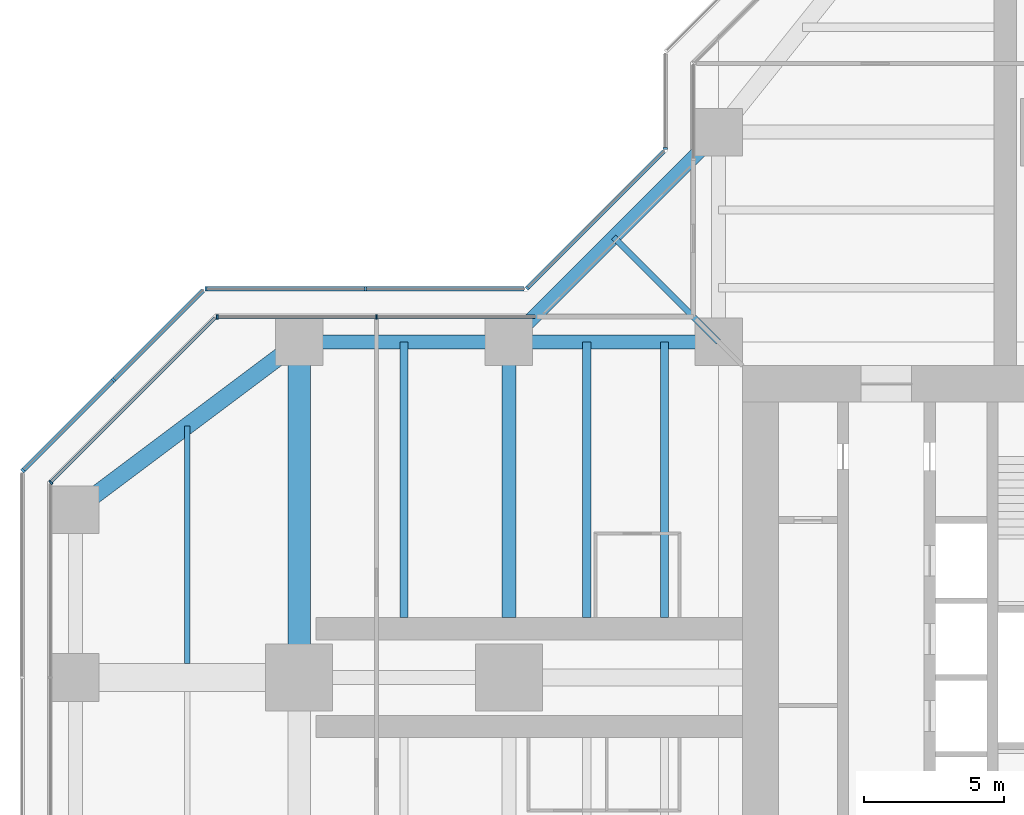
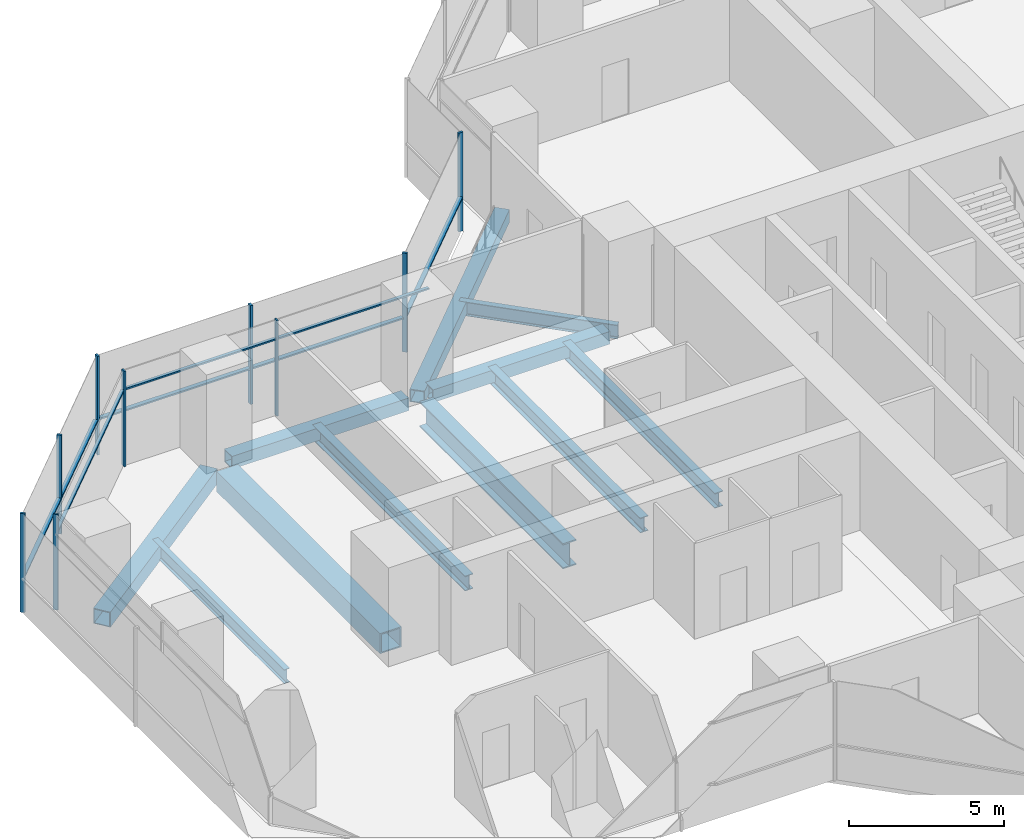
# One storey, part 7 of 20: 17 members, 11 beams, 6 elements without a shape of their own.
"""IFC4 building model written with IfcOpenShell, lengths in metres."""

from ifc_helpers import new_model, si_unit, direction, frame, origin, origin_2d, place, context, subcontext, project, spatial, rectangle, hollow_rectangle, i_section, extrude, material, material_profile, profile_set, type_object, element, aggregate, save


model = new_model("IFC4")

# Units and contexts
model_context = context("Model", 3, precision=1e-05, world=origin(), true_north=direction((0.0, 1.0)))
body_context = subcontext(model_context, "Body", "Model", "MODEL_VIEW")
ifc_project = project(units=[si_unit("LENGTHUNIT", "METRE"), si_unit("AREAUNIT", "SQUARE_METRE"), si_unit("VOLUMEUNIT", "CUBIC_METRE"), si_unit("PLANEANGLEUNIT", "RADIAN"), si_unit("MASSUNIT", "GRAM", prefix="KILO")], contexts=[model_context])

# Site, building, storey
site_placement = place(None, origin())
site = spatial("IfcSite", under=ifc_project, at=site_placement, CompositionType="ELEMENT")
building_placement = place(site_placement, origin())
building = spatial("IfcBuilding", under=site, at=building_placement, Name="Mizan Broadcast Tower", CompositionType="ELEMENT")
storey_placement = place(building_placement, frame((0.0, 0.0, 135.89990234375)))
storey = spatial("IfcBuildingStorey", under=building, at=storey_placement, Name="L30", CompositionType="ELEMENT", Elevation=135.89990234375)

# Beams
ifc_material_1 = material(Name="Steel S355", Category="steel")
ifc_material_profile_1 = material_profile(ifc_material_1, hollow_rectangle(XDim=0.5, YDim=0.5, WallThickness=0.030029296875, at=origin_2d()), Name="BOX 500x500x30")
ifc_profile_set_1 = profile_set([ifc_material_profile_1], Name="Steel S355")
beam_type_1 = type_object("IfcBeamType", Name="EDGE BEAM BOX 500x500x30", PredefinedType="SPANDREL", material=ifc_profile_set_1)
for number, where, z_axis, x_axis, name in (
    (1, (-12.449951171875, 12.0, -0.3798828125), (-1.0, 0.0, 0.0), (0.0, -1.0, 0.0), "Edge beam BOX 500x500x30 L30 west arm"),
    (2, (-19.949951171875, 12.0, -0.3798828125), (-1.0, 0.0, 0.0), (0.0, -1.0, 0.0), "Edge beam BOX 500x500x30 L30 west arm"),
):
    element("IfcBeam", number, at=place(storey_placement, frame(where, z_axis=z_axis, x_axis=x_axis)), inside=storey, type_object=beam_type_1, Name=name, PredefinedType="SPANDREL", context=body_context, shape_type="SweptSolid", body=[
        extrude(hollow_rectangle(XDim=0.5, YDim=0.5, WallThickness=0.030029296875, at=origin_2d()), origin(), (0.0, 0.0, 1.0), 6.60009765625),
    ])
beam_1_placement = place(storey_placement, frame((-12.0, 19.5, -0.3798828125), z_axis=(-0.707106781187, -0.707106781187, 0.0), x_axis=(0.707106781187, -0.707106781187, 0.0)))
element("IfcBeam", 3, at=beam_1_placement, inside=storey, type_object=beam_type_1, Name="Winter garden edge beam L30 N", PredefinedType="SPANDREL", context=body_context, shape_type="SweptSolid", body=[
    extrude(hollow_rectangle(XDim=0.5, YDim=0.5, WallThickness=0.030029296875, at=origin_2d()), origin(), (0.0, 0.0, 1.0), 10.606689453125),
])
ifc_material_2 = material(Name="Steel S355", Category="steel")
ifc_material_profile_2 = material_profile(ifc_material_2, hollow_rectangle(XDim=0.60009765625, YDim=0.60009765625, WallThickness=0.030029296875, at=origin_2d()), Name="BOX 600x600x30")
ifc_profile_set_2 = profile_set([ifc_material_profile_2], Name="Steel S355")
beam_type_2 = type_object("IfcBeamType", Name="EDGE BEAM BOX 600x600x30", PredefinedType="SPANDREL", material=ifc_profile_set_2)
beam_2_placement = place(storey_placement, frame((-27.47998046875, 11.639892578125, -0.429931640625), z_axis=(-0.800013316712, -0.599982243973, 0.0), x_axis=(0.599982243973, -0.800013316712, 0.0)))
element("IfcBeam", 4, at=beam_2_placement, inside=storey, type_object=beam_type_2, Name="Edge beam BOX 600x600x30 L30 west arm", PredefinedType="SPANDREL", context=body_context, shape_type="SweptSolid", body=[
    extrude(hollow_rectangle(XDim=0.60009765625, YDim=0.60009765625, WallThickness=0.030029296875, at=origin_2d()), origin(), (0.0, 0.0, 1.0), 8.7998046875),
])
ifc_material_3 = material(Name="Steel S460", Category="steel")
ifc_material_profile_3 = material_profile(ifc_material_3, hollow_rectangle(XDim=0.800048828125, YDim=0.800048828125, WallThickness=0.050048828125, at=origin_2d()), Name="BOX 800x800x50")
ifc_profile_set_3 = profile_set([ifc_material_profile_3], Name="Steel S460")
beam_type_3 = type_object("IfcBeamType", Name="GIRDER BOX 800x800x50", PredefinedType="BEAM", material=ifc_profile_set_3)
beam_3_placement = place(storey_placement, frame((-27.0, 11.280029296875, -0.52978515625), z_axis=(0.0, -1.0, 0.0), x_axis=(1.0, 0.0, 0.0)))
element("IfcBeam", 5, at=beam_3_placement, inside=storey, type_object=beam_type_3, Name="Girder BOX 800x800x50 L30 west arm", PredefinedType="BEAM", context=body_context, shape_type="SweptSolid", body=[
    extrude(hollow_rectangle(XDim=0.800048828125, YDim=0.800048828125, WallThickness=0.050048828125, at=origin_2d()), origin(), (0.0, 0.0, 1.0), 10.56005859375),
])
ifc_material_4 = material(Name="Steel S460", Category="steel")
ifc_material_profile_4 = material_profile(ifc_material_4, i_section(OverallWidth=0.5, OverallDepth=1.0, WebThickness=0.02490234375, FlangeThickness=0.050048828125, at=origin_2d()), Name="WPG 1000x500")
ifc_profile_set_4 = profile_set([ifc_material_profile_4], Name="Steel S460")
beam_type_4 = type_object("IfcBeamType", Name="GIRDER WPG 1000x500", PredefinedType="BEAM", material=ifc_profile_set_4)
beam_4_placement = place(storey_placement, frame((-19.5, 11.408935546875, -0.6298828125), z_axis=(0.0, -1.0, 0.0), x_axis=(1.0, 0.0, 0.0)))
element("IfcBeam", 6, at=beam_4_placement, inside=storey, type_object=beam_type_4, Name="Girder WPG 1000x500 L30 west arm", PredefinedType="BEAM", context=body_context, shape_type="SweptSolid", body=[
    extrude(i_section(OverallWidth=0.5, OverallDepth=1.0, WebThickness=0.02490234375, FlangeThickness=0.050048828125, at=origin_2d()), origin(), (0.0, 0.0, 1.0), 9.259033203125),
])

# Curtain wall, members
ifc_material_5 = material(Name="Aluminium framed glazing", Category="aluminium")
curtain_wall_type_1 = type_object("IfcCurtainWallType", Name="INNER SKIN MID ZONE", PredefinedType="USERDEFINED", material=ifc_material_5)
curtain_wall_1_placement = place(storey_placement, origin())
curtain_wall_1 = element("IfcCurtainWall", 7, at=curtain_wall_1_placement, inside=storey, type_object=curtain_wall_type_1, Name="Inner skin mid zone L30 W side", ObjectType="INNER SKIN MID ZONE", PredefinedType="USERDEFINED")
ifc_material_6 = material(Name="Aluminium, pale anodised", Category="aluminium")
ifc_material_profile_5 = material_profile(ifc_material_6, rectangle(XDim=0.159912109375, YDim=0.06005859375, at=origin_2d()), Name="MULLION 160x60")
ifc_profile_set_5 = profile_set([ifc_material_profile_5], Name="Aluminium, pale anodised")
member_type_1 = type_object("IfcMemberType", Name="INNER SKIN MULLION 60x160", PredefinedType="MULLION", material=ifc_profile_set_5)
member_1_placement = place(storey_placement, frame((-24.229248046875, 12.89990234375, 0.0), z_axis=(0.0, 0.0, 1.0), x_axis=(0.0, -1.0, 0.0)))
member_1 = element("IfcMember", 8, at=member_1_placement, type_object=member_type_1, Name="Inner skin mid zone L30 W side mullion 2", PredefinedType="MULLION", context=body_context, shape_type="SweptSolid", body=[
    extrude(rectangle(XDim=0.159912109375, YDim=0.06005859375, at=origin_2d()), origin(), (0.0, 0.0, 1.0), 3.77001953125),
])
member_2_placement = place(storey_placement, frame((-29.928466796875, 12.89990234375, 0.0), z_axis=(0.0, 0.0, 1.0), x_axis=(0.0, -1.0, 0.0)))
member_2 = element("IfcMember", 9, at=member_2_placement, type_object=member_type_1, Name="Inner skin mid zone L30 W side mullion 3", PredefinedType="MULLION", context=body_context, shape_type="SweptSolid", body=[
    extrude(rectangle(XDim=0.159912109375, YDim=0.06005859375, at=origin_2d()), origin(), (0.0, 0.0, 1.0), 3.77001953125),
])

# Curtain wall, member
curtain_wall_2_placement = place(storey_placement, origin())
curtain_wall_2 = element("IfcCurtainWall", 10, at=curtain_wall_2_placement, inside=storey, type_object=curtain_wall_type_1, Name="Inner skin mid zone L30 W chamfer", ObjectType="INNER SKIN MID ZONE", PredefinedType="USERDEFINED")
member_3_placement = place(storey_placement, frame((-35.87890625, 6.979736328125, 0.0), z_axis=(0.0, 0.0, 1.0), x_axis=(0.707106781187, -0.707106781187, 0.0)))
member_3 = element("IfcMember", 11, at=member_3_placement, type_object=member_type_1, Name="Inner skin mid zone L30 W chamfer mullion 2", PredefinedType="MULLION", context=body_context, shape_type="SweptSolid", body=[
    extrude(rectangle(XDim=0.159912109375, YDim=0.06005859375, at=origin_2d()), origin(), (0.0, 0.0, 1.0), 3.77001953125),
])

# Member
ifc_material_7 = material(Name="Aluminium, pale anodised", Category="aluminium")
ifc_material_profile_6 = material_profile(ifc_material_7, rectangle(XDim=0.1201171875, YDim=0.06005859375, at=origin_2d()), Name="TRANSOM 120x60")
ifc_profile_set_6 = profile_set([ifc_material_profile_6], Name="Aluminium, pale anodised")
member_type_2 = type_object("IfcMemberType", Name="INNER SKIN TRANSOM 60x120", PredefinedType="USERDEFINED", material=ifc_profile_set_6)
member_4_placement = place(storey_placement, frame((-18.56005859375, 12.89990234375, 3.030029296875), z_axis=(-1.0, 0.0, 0.0), x_axis=(0.0, -1.0, 0.0)))
member_4 = element("IfcMember", 12, at=member_4_placement, type_object=member_type_2, Name="Inner skin mid zone L30 W side transom 1.1", ObjectType="TRANSOM", PredefinedType="USERDEFINED", context=body_context, shape_type="SweptSolid", body=[
    extrude(rectangle(XDim=0.1201171875, YDim=0.06005859375, at=origin_2d()), origin(), (0.0, 0.0, 1.0), 5.63916015625),
])

member_5_placement = place(storey_placement, frame((-24.25927734375, 12.89990234375, 3.030029296875), z_axis=(-1.0, 0.0, 0.0), x_axis=(0.0, -1.0, 0.0)))
member_5 = element("IfcMember", 13, at=member_5_placement, type_object=member_type_2, Name="Inner skin mid zone L30 W side transom 2.1", ObjectType="TRANSOM", PredefinedType="USERDEFINED", context=body_context, shape_type="SweptSolid", body=[
    extrude(rectangle(XDim=0.1201171875, YDim=0.06005859375, at=origin_2d()), origin(), (0.0, 0.0, 1.0), 5.639404296875),
])

aggregate(curtain_wall_1, [member_1, member_2, member_4, member_5])

member_6_placement = place(storey_placement, frame((-30.0009765625, 12.857666015625, 3.030029296875), z_axis=(-0.707106781187, -0.707106781187, 0.0), x_axis=(0.707106781187, -0.707106781187, 0.0)))
member_6 = element("IfcMember", 14, at=member_6_placement, type_object=member_type_2, Name="Inner skin mid zone L30 W chamfer transom 1.1", ObjectType="TRANSOM", PredefinedType="USERDEFINED", context=body_context, shape_type="SweptSolid", body=[
    extrude(rectangle(XDim=0.1201171875, YDim=0.06005859375, at=origin_2d()), origin(), (0.0, 0.0, 1.0), 8.28271484375),
])

aggregate(curtain_wall_2, [member_3, member_6])

# Curtain wall, member
ifc_material_8 = material(Name="Aluminium framed glazing", Category="aluminium")
curtain_wall_type_2 = type_object("IfcCurtainWallType", Name="OUTER SKIN", PredefinedType="USERDEFINED", material=ifc_material_8)
curtain_wall_3_placement = place(storey_placement, origin())
curtain_wall_3 = element("IfcCurtainWall", 15, at=curtain_wall_3_placement, inside=storey, type_object=curtain_wall_type_2, Name="Outer skin L30 N side", ObjectType="OUTER SKIN", PredefinedType="USERDEFINED")
ifc_material_9 = material(Name="Aluminium, pale anodised", Category="aluminium")
ifc_material_profile_7 = material_profile(ifc_material_9, rectangle(XDim=0.159912109375, YDim=0.080078125, at=origin_2d()), Name="MULLION 160x80")
ifc_profile_set_7 = profile_set([ifc_material_profile_7], Name="Aluminium, pale anodised")
member_type_3 = type_object("IfcMemberType", Name="OUTER SKIN MULLION 80x160", PredefinedType="MULLION", material=ifc_profile_set_7)
member_7_placement = place(storey_placement, frame((-13.89990234375, 18.912841796875, 0.0), z_axis=(0.0, 0.0, 1.0), x_axis=(1.0, 0.0, 0.0)))
member_7 = element("IfcMember", 16, at=member_7_placement, type_object=member_type_3, Name="Outer skin L30 N side mullion 2", PredefinedType="MULLION", context=body_context, shape_type="SweptSolid", body=[
    extrude(rectangle(XDim=0.159912109375, YDim=0.080078125, at=origin_2d()), origin(), (0.0, 0.0, 1.0), 3.900146484375),
])
aggregate(curtain_wall_3, [member_7])

curtain_wall_4_placement = place(storey_placement, origin())
curtain_wall_4 = element("IfcCurtainWall", 17, at=curtain_wall_4_placement, inside=storey, type_object=curtain_wall_type_2, Name="Outer skin L30 W chamfer", ObjectType="OUTER SKIN", PredefinedType="USERDEFINED")
member_8_placement = place(storey_placement, frame((-18.844482421875, 13.92822265625, 0.0), z_axis=(0.0, 0.0, 1.0), x_axis=(0.707106781187, -0.707106781187, 0.0)))
member_8 = element("IfcMember", 18, at=member_8_placement, type_object=member_type_3, Name="Outer skin L30 W chamfer mullion 2", PredefinedType="MULLION", context=body_context, shape_type="SweptSolid", body=[
    extrude(rectangle(XDim=0.159912109375, YDim=0.080078125, at=origin_2d()), origin(), (0.0, 0.0, 1.0), 3.900146484375),
])

# Curtain wall, members
curtain_wall_5_placement = place(storey_placement, origin())
curtain_wall_5 = element("IfcCurtainWall", 19, at=curtain_wall_5_placement, inside=storey, type_object=curtain_wall_type_2, Name="Outer skin L30 W side", ObjectType="OUTER SKIN", PredefinedType="USERDEFINED")
member_9_placement = place(storey_placement, frame((-24.622802734375, 13.89990234375, 0.0), z_axis=(0.0, 0.0, 1.0), x_axis=(0.0, -1.0, 0.0)))
member_9 = element("IfcMember", 20, at=member_9_placement, type_object=member_type_3, Name="Outer skin L30 W side mullion 2", PredefinedType="MULLION", context=body_context, shape_type="SweptSolid", body=[
    extrude(rectangle(XDim=0.159912109375, YDim=0.080078125, at=origin_2d()), origin(), (0.0, 0.0, 1.0), 3.900146484375),
])
member_10_placement = place(storey_placement, frame((-30.332763671875, 13.89990234375, 0.0), z_axis=(0.0, 0.0, 1.0), x_axis=(0.0, -1.0, 0.0)))
member_10 = element("IfcMember", 21, at=member_10_placement, type_object=member_type_3, Name="Outer skin L30 W side mullion 3", PredefinedType="MULLION", context=body_context, shape_type="SweptSolid", body=[
    extrude(rectangle(XDim=0.159912109375, YDim=0.080078125, at=origin_2d()), origin(), (0.0, 0.0, 1.0), 3.900146484375),
])

curtain_wall_6_placement = place(storey_placement, origin())
curtain_wall_6 = element("IfcCurtainWall", 22, at=curtain_wall_6_placement, inside=storey, type_object=curtain_wall_type_2, Name="Outer skin L30 W chamfer", ObjectType="OUTER SKIN", PredefinedType="USERDEFINED")
member_11_placement = place(storey_placement, frame((-33.636474609375, 10.636474609375, 0.0), z_axis=(0.0, 0.0, 1.0), x_axis=(0.707106781187, -0.707106781187, 0.0)))
member_11 = element("IfcMember", 23, at=member_11_placement, type_object=member_type_3, Name="Outer skin L30 W chamfer mullion 2", PredefinedType="MULLION", context=body_context, shape_type="SweptSolid", body=[
    extrude(rectangle(XDim=0.159912109375, YDim=0.080078125, at=origin_2d()), origin(), (0.0, 0.0, 1.0), 3.900146484375),
])
member_12_placement = place(storey_placement, frame((-36.871826171875, 7.401123046875, 0.0), z_axis=(0.0, 0.0, 1.0), x_axis=(0.707106781187, -0.707106781187, 0.0)))
member_12 = element("IfcMember", 24, at=member_12_placement, type_object=member_type_3, Name="Outer skin L30 W chamfer mullion 3", PredefinedType="MULLION", context=body_context, shape_type="SweptSolid", body=[
    extrude(rectangle(XDim=0.159912109375, YDim=0.080078125, at=origin_2d()), origin(), (0.0, 0.0, 1.0), 3.900146484375),
])

# Member
ifc_material_10 = material(Name="Aluminium, pale anodised", Category="aluminium")
ifc_material_profile_8 = material_profile(ifc_material_10, rectangle(XDim=0.159912109375, YDim=0.06005859375, at=origin_2d()), Name="TRANSOM 160x60")
ifc_profile_set_8 = profile_set([ifc_material_profile_8], Name="Aluminium, pale anodised")
member_type_4 = type_object("IfcMemberType", Name="OUTER SKIN TRANSOM 60x160", PredefinedType="USERDEFINED", material=ifc_profile_set_8)
member_13_placement = place(storey_placement, frame((-13.95654296875, 18.816162109375, 1.400146484375), z_axis=(-0.707106781187, -0.707106781187, 0.0), x_axis=(0.707106781187, -0.707106781187, 0.0)))
member_13 = element("IfcMember", 25, at=member_13_placement, type_object=member_type_4, Name="Outer skin L30 W chamfer transom 1.1", ObjectType="TRANSOM", PredefinedType="USERDEFINED", context=body_context, shape_type="SweptSolid", body=[
    extrude(rectangle(XDim=0.159912109375, YDim=0.06005859375, at=origin_2d()), origin(), (0.0, 0.0, 1.0), 6.87255859375),
])

aggregate(curtain_wall_4, [member_8, member_13])

member_14_placement = place(storey_placement, frame((-18.952880859375, 13.89990234375, 1.400146484375), z_axis=(-1.0, 0.0, 0.0), x_axis=(0.0, -1.0, 0.0)))
member_14 = element("IfcMember", 26, at=member_14_placement, type_object=member_type_4, Name="Outer skin L30 W side transom 1.1", ObjectType="TRANSOM", PredefinedType="USERDEFINED", context=body_context, shape_type="SweptSolid", body=[
    extrude(rectangle(XDim=0.159912109375, YDim=0.06005859375, at=origin_2d()), origin(), (0.0, 0.0, 1.0), 5.6298828125),
])

member_15_placement = place(storey_placement, frame((-24.662841796875, 13.89990234375, 1.400146484375), z_axis=(-1.0, 0.0, 0.0), x_axis=(0.0, -1.0, 0.0)))
member_15 = element("IfcMember", 27, at=member_15_placement, type_object=member_type_4, Name="Outer skin L30 W side transom 2.1", ObjectType="TRANSOM", PredefinedType="USERDEFINED", context=body_context, shape_type="SweptSolid", body=[
    extrude(rectangle(XDim=0.159912109375, YDim=0.06005859375, at=origin_2d()), origin(), (0.0, 0.0, 1.0), 5.6298828125),
])

aggregate(curtain_wall_5, [member_9, member_10, member_14, member_15])

member_16_placement = place(storey_placement, frame((-30.429443359375, 13.843505859375, 1.400146484375), z_axis=(-0.707106781187, -0.707106781187, 0.0), x_axis=(0.707106781187, -0.707106781187, 0.0)))
member_16 = element("IfcMember", 28, at=member_16_placement, type_object=member_type_4, Name="Outer skin L30 W chamfer transom 1.1", ObjectType="TRANSOM", PredefinedType="USERDEFINED", context=body_context, shape_type="SweptSolid", body=[
    extrude(rectangle(XDim=0.159912109375, YDim=0.06005859375, at=origin_2d()), origin(), (0.0, 0.0, 1.0), 4.495361328125),
])

member_17_placement = place(storey_placement, frame((-33.664794921875, 10.608154296875, 1.400146484375), z_axis=(-0.707106781187, -0.707106781187, 0.0), x_axis=(0.707106781187, -0.707106781187, 0.0)))
member_17 = element("IfcMember", 29, at=member_17_placement, type_object=member_type_4, Name="Outer skin L30 W chamfer transom 2.1", ObjectType="TRANSOM", PredefinedType="USERDEFINED", context=body_context, shape_type="SweptSolid", body=[
    extrude(rectangle(XDim=0.159912109375, YDim=0.06005859375, at=origin_2d()), origin(), (0.0, 0.0, 1.0), 4.495361328125),
])

aggregate(curtain_wall_6, [member_11, member_12, member_16, member_17])

# Beams
ifc_material_11 = material(Name="Steel S355", Category="steel")
ifc_material_profile_9 = material_profile(ifc_material_11, i_section(OverallWidth=0.300048828125, OverallDepth=0.590087890625, WebThickness=0.012939453125, FlangeThickness=0.02490234375, FilletRadius=0.027099609375, at=origin_2d()), Name="HEA 600")
ifc_profile_set_9 = profile_set([ifc_material_profile_9], Name="Steel S355")
beam_type_5 = type_object("IfcBeamType", Name="SECONDARY BEAM HEA 600", PredefinedType="JOIST", material=ifc_profile_set_9)
for number, where, z_axis, x_axis, name in (
    (30, (-13.933349609375, 12.0, -0.4248046875), (0.0, -1.0, 0.0), (1.0, 0.0, 0.0), "Secondary beam HEA 600 L30 west arm"),
    (31, (-16.716552734375, 12.0, -0.4248046875), (0.0, -1.0, 0.0), (1.0, 0.0, 0.0), "Secondary beam HEA 600 L30 west arm"),
    (32, (-23.25, 12.0, -0.4248046875), (0.0, -1.0, 0.0), (1.0, 0.0, 0.0), "Secondary beam HEA 600 L30 west arm"),
):
    element("IfcBeam", number, at=place(storey_placement, frame(where, z_axis=z_axis, x_axis=x_axis)), inside=storey, type_object=beam_type_5, Name=name, PredefinedType="JOIST", context=body_context, shape_type="SweptSolid", body=[
        extrude(i_section(OverallWidth=0.300048828125, OverallDepth=0.590087890625, WebThickness=0.012939453125, FlangeThickness=0.02490234375, FilletRadius=0.027099609375, at=origin_2d()), origin(), (0.0, 0.0, 1.0), 9.85009765625),
    ])
ifc_material_12 = material(Name="Steel S355", Category="steel")
ifc_material_profile_10 = material_profile(ifc_material_12, i_section(OverallWidth=0.2099609375, OverallDepth=0.550048828125, WebThickness=0.010986328125, FlangeThickness=0.01708984375, FilletRadius=0.02392578125, at=origin_2d()), Name="IPE 550")
ifc_profile_set_10 = profile_set([ifc_material_profile_10], Name="Steel S355")
beam_type_6 = type_object("IfcBeamType", Name="SECONDARY BEAM IPE 550", PredefinedType="JOIST", material=ifc_profile_set_10)
beam_5_placement = place(storey_placement, frame((-31.0, 9.0, -0.40478515625), z_axis=(0.0, -1.0, 0.0), x_axis=(1.0, 0.0, 0.0)))
element("IfcBeam", 33, at=beam_5_placement, inside=storey, type_object=beam_type_6, Name="Secondary beam IPE 550 L30 west arm", PredefinedType="JOIST", context=body_context, shape_type="SweptSolid", body=[
    extrude(i_section(OverallWidth=0.2099609375, OverallDepth=0.550048828125, WebThickness=0.010986328125, FlangeThickness=0.01708984375, FilletRadius=0.02392578125, at=origin_2d()), origin(), (0.0, 0.0, 1.0), 8.5),
])
beam_6_placement = place(storey_placement, frame((-12.0, 12.0, -0.40478515625), z_axis=(-0.707106781187, 0.707106781187, 0.0), x_axis=(-0.707106781187, -0.707106781187, 0.0)))
element("IfcBeam", 34, at=beam_6_placement, inside=storey, type_object=beam_type_6, Name="Winter garden beam L30 N", PredefinedType="JOIST", context=body_context, shape_type="SweptSolid", body=[
    extrude(i_section(OverallWidth=0.2099609375, OverallDepth=0.550048828125, WebThickness=0.010986328125, FlangeThickness=0.01708984375, FilletRadius=0.02392578125, at=origin_2d()), origin(), (0.0, 0.0, 1.0), 5.30322265625),
])

save(model, "model.ifc")
